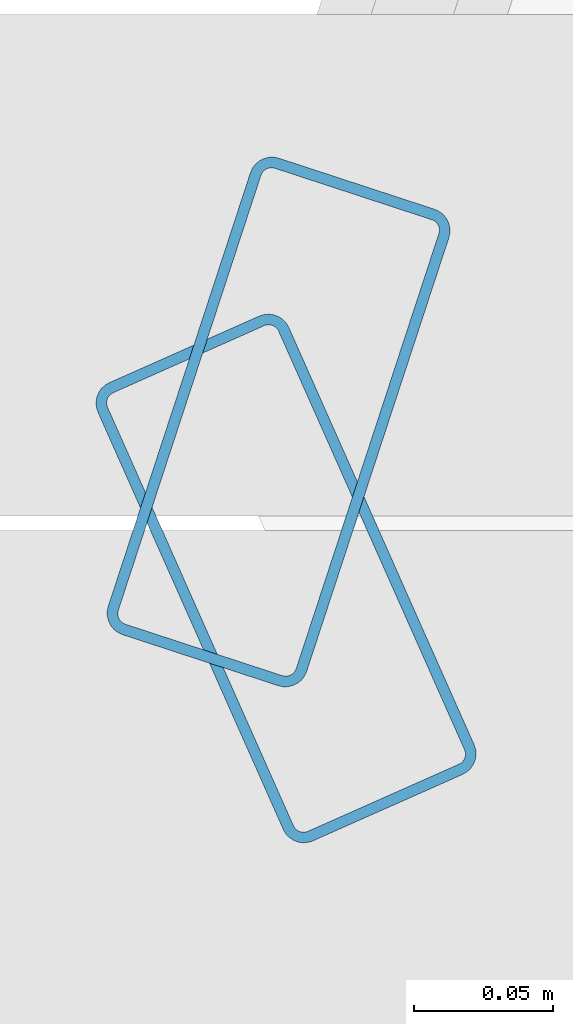
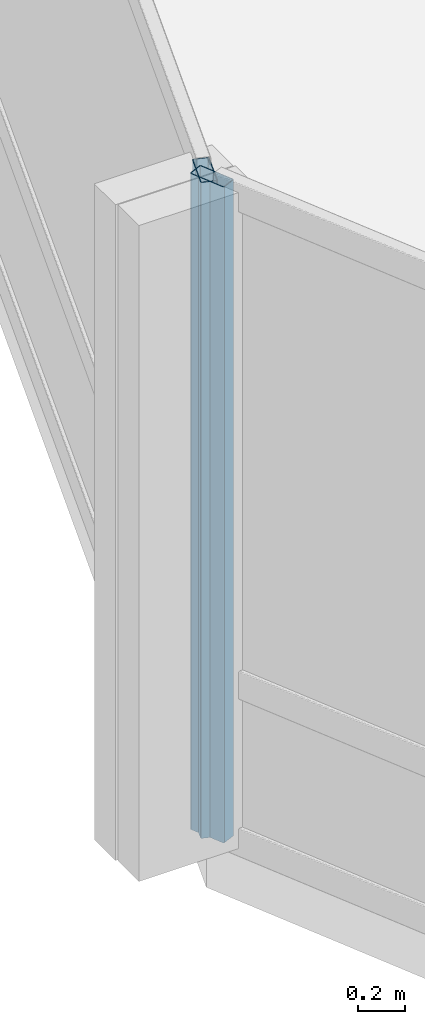
# One storey, part 6 of 34: 2 members, 2 elements without a shape of their own.
"""IFC4 building model written with IfcOpenShell, lengths in metres."""

from ifc_helpers import new_model, si_unit, direction, frame, origin, origin_2d, place, context, subcontext, project, spatial, hollow_rectangle, extrude, material, layer, layer_set, material_profile, profile_set, type_object, element, aggregate, save


model = new_model("IFC4")

# Units and contexts
model_context = context("Model", 3, precision=1e-05, world=origin(), true_north=direction((0.0, 1.0)))
body_context = subcontext(model_context, "Body", "Model", "MODEL_VIEW")
ifc_project = project(units=[si_unit("LENGTHUNIT", "METRE"), si_unit("AREAUNIT", "SQUARE_METRE"), si_unit("VOLUMEUNIT", "CUBIC_METRE"), si_unit("PLANEANGLEUNIT", "RADIAN"), si_unit("MASSUNIT", "GRAM", prefix="KILO")], contexts=[model_context])

# Site, building, storey
site_placement = place(None, origin())
site = spatial("IfcSite", under=ifc_project, at=site_placement, CompositionType="ELEMENT")
building_placement = place(site_placement, origin())
building = spatial("IfcBuilding", under=site, at=building_placement, Name="Solvaryn Broadcast Tower", CompositionType="ELEMENT")
storey_placement = place(building_placement, frame((0.0, 0.0, 39.699951171875)))
storey = spatial("IfcBuildingStorey", under=building, at=storey_placement, Name="L08", CompositionType="ELEMENT", Elevation=39.699951171875)

# Curtain wall, member
ifc_material_1 = material(Name="Aluminium and Terracotta Unitised Curtain Wall", Category="masonry")
ifc_layer = layer(ifc_material_1, 0.199951171875)
ifc_layer_set = layer_set([ifc_layer], Name="CW-SYS2-LOWMID")
curtain_wall_type = type_object("IfcCurtainWallType", Name="CW-SYS2-LOWMID", PredefinedType="NOTDEFINED", material=ifc_layer_set)
curtain_wall_1_placement = place(storey_placement, origin())
curtain_wall_1 = element("IfcCurtainWall", 1, at=curtain_wall_1_placement, inside=storey, type_object=curtain_wall_type, Name="L08 Curtain Wall DR1", PredefinedType="NOTDEFINED")
ifc_material_2 = material(Name="Anodised Aluminium 6063-T6", Category="aluminium")
ifc_material_profile = material_profile(ifc_material_2, hollow_rectangle(XDim=0.074951171875, YDim=0.179931640625, WallThickness=0.00390625, InnerFilletRadius=0.00390625, OuterFilletRadius=0.008056640625, at=origin_2d()))
ifc_profile_set = profile_set([ifc_material_profile], Name="Anodised Aluminium 6063-T6")
member_type = type_object("IfcMemberType", Name="CW-MUL-180", PredefinedType="MULLION", material=ifc_profile_set)
member_1_placement = place(storey_placement, frame((-0.45458984375, 26.588623046875, 0.0), z_axis=(0.0, 0.0, 1.0), x_axis=(0.950215318429, -0.311594044587, 0.0)))
member_1 = element("IfcMember", 2, at=member_1_placement, type_object=member_type, Name="CWS2 mullion 2", PredefinedType="MULLION", context=body_context, shape_type="SweptSolid", body=[
    extrude(hollow_rectangle(XDim=0.074951171875, YDim=0.179931640625, WallThickness=0.00390625, InnerFilletRadius=0.00390625, OuterFilletRadius=0.008056640625, at=origin_2d()), origin(), (0.0, 0.0, 1.0), 3.420166015625),
])
aggregate(curtain_wall_1, [member_1])

curtain_wall_2_placement = place(storey_placement, origin())
curtain_wall_2 = element("IfcCurtainWall", 3, at=curtain_wall_2_placement, inside=storey, type_object=curtain_wall_type, Name="L08 Curtain Wall DR2", PredefinedType="NOTDEFINED")
member_2_placement = place(storey_placement, frame((-0.451904296875, 26.532470703125, 0.0), z_axis=(0.0, 0.0, 1.0), x_axis=(0.913918257271, 0.405898286554, 0.0)))
member_2 = element("IfcMember", 4, at=member_2_placement, type_object=member_type, Name="CWS2 mullion 1", PredefinedType="MULLION", context=body_context, shape_type="SweptSolid", body=[
    extrude(hollow_rectangle(XDim=0.074951171875, YDim=0.179931640625, WallThickness=0.00390625, InnerFilletRadius=0.00390625, OuterFilletRadius=0.008056640625, at=origin_2d()), origin(), (0.0, 0.0, 1.0), 3.420166015625),
])
aggregate(curtain_wall_2, [member_2])

save(model, "model.ifc")
